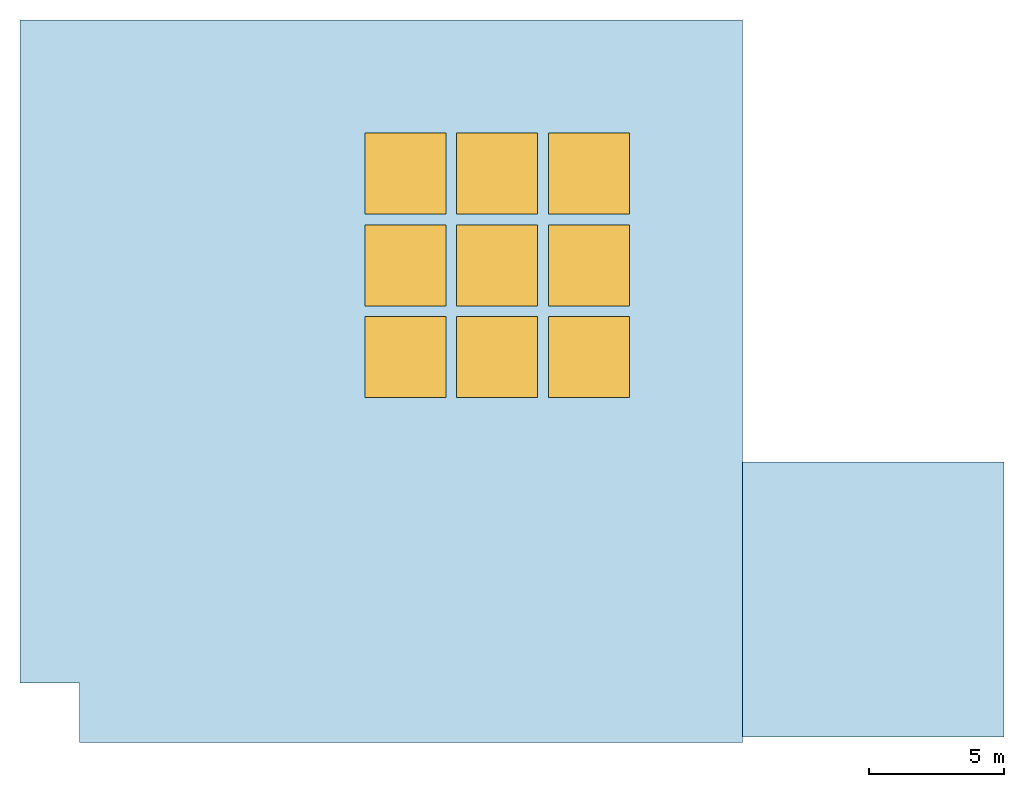
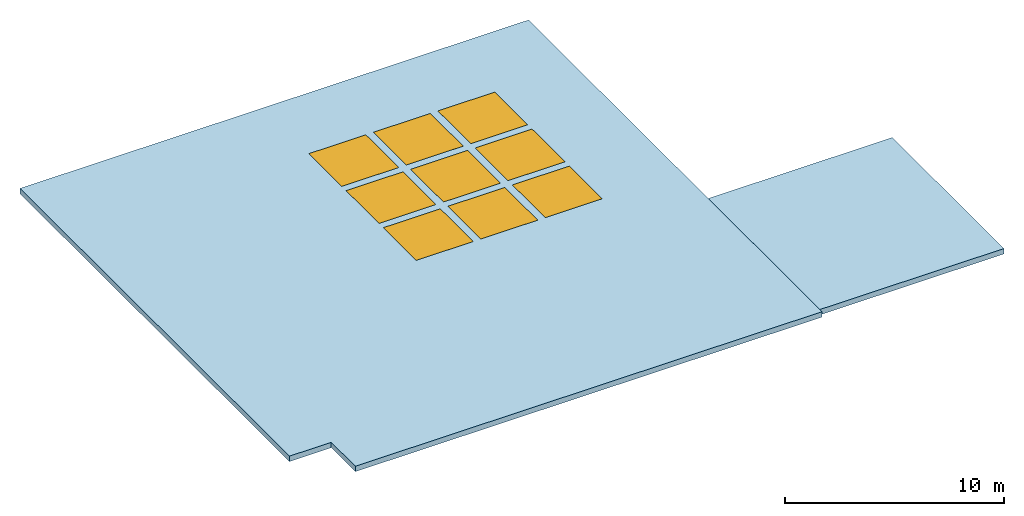
# One storey: 9 windows, 2 slabs, 9 openings.
"""IFC4 building model written with IfcOpenShell, lengths in metres."""

from ifc_helpers import new_model, si_unit, direction, frame, origin, origin_2d, place, context, subcontext, project, spatial, polyline, rectangle, outline, extrude, material, layer, layer_set, type_object, element, fill, save


model = new_model("IFC4")

# Units and contexts
model_context = context("Model", 3, precision=1e-05, world=origin(), true_north=direction((0.0, 1.0)))
body_context = subcontext(model_context, "Body", "Model", "MODEL_VIEW")
ifc_project = project(units=[si_unit("LENGTHUNIT", "METRE"), si_unit("AREAUNIT", "SQUARE_METRE"), si_unit("VOLUMEUNIT", "CUBIC_METRE"), si_unit("PLANEANGLEUNIT", "RADIAN"), si_unit("MASSUNIT", "GRAM", prefix="KILO")], contexts=[model_context])

# Site, building, storey
site_placement = place(None, origin())
site = spatial("IfcSite", under=ifc_project, at=site_placement, CompositionType="ELEMENT")
building_placement = place(site_placement, origin())
building = spatial("IfcBuilding", under=site, at=building_placement, Name="Kemantara Hotel Tower", CompositionType="ELEMENT")
storey_placement = place(building_placement, frame((0.0, 0.0, 334.199951171875)))
storey = spatial("IfcBuildingStorey", under=building, at=storey_placement, Name="ROOF", CompositionType="ELEMENT", Elevation=334.199951171875)

# Slab
ifc_material_1 = material(Name="Concrete K-400 (fc 33 MPa) deck under roofing membrane", Category="concrete")
ifc_layer = layer(ifc_material_1, 0.300048828125)
ifc_layer_set = layer_set([ifc_layer], Name="Concrete K-400 (fc 33 MPa) deck under roofing membrane")
slab_type = type_object("IfcSlabType", Name="DRUM ROOF SLAB 300", PredefinedType="ROOF", material=ifc_layer_set)
slab_1_placement = place(storey_placement, frame((0.0, 0.0, -0.300048828125)))
element("IfcSlab", 1, at=slab_1_placement, inside=storey, type_object=slab_type, Name="PEAK A MAST BASE ROOF", PredefinedType="ROOF", context=body_context, shape_type="SweptSolid", body=[
    extrude(outline(polyline([(26.800048828125, 0.199951171875), (36.5, 0.199951171875), (36.5, 10.39990234375), (26.800048828125, 10.39990234375), (26.800048828125, 0.199951171875)])), origin(), (0.0, 0.0, 1.0), 0.300048828125),
])

# Slab, openings, windows
slab_2_placement = place(storey_placement, frame((0.0, 0.0, -0.300048828125)))
slab_2 = element("IfcSlab", 2, at=slab_2_placement, inside=storey, type_object=slab_type, Name="DRUM ROOF SLAB 1", PredefinedType="ROOF", context=body_context, shape_type="SweptSolid", body=[
    extrude(outline(polyline([(2.199951171875, 2.199951171875), (2.199951171875, 0.0), (26.800048828125, 0.0), (26.800048828125, 22.0), (26.800048828125, 26.800048828125), (22.0, 26.800048828125), (0.0, 26.800048828125), (0.0, 2.199951171875), (2.199951171875, 2.199951171875)])), origin(), (0.0, 0.0, 1.0), 0.300048828125),
])
opening_1_placement = place(slab_2_placement, frame((14.300048828125, 14.300048828125, 0.0)))
opening_1 = element("IfcOpeningElement", 3, at=opening_1_placement, cuts=slab_2, Name="Opening SK1", PredefinedType="OPENING", context=body_context, shape_type="SweptSolid", body=[
    extrude(rectangle(XDim=3.0, YDim=3.0, at=origin_2d()), frame((0.0, 0.0, -0.010009765625)), (0.0, 0.0, 1.0), 0.320068359375),
])
opening_2_placement = place(slab_2_placement, frame((14.300048828125, 17.699951171875, 0.0)))
opening_2 = element("IfcOpeningElement", 4, at=opening_2_placement, cuts=slab_2, Name="Opening SK1", PredefinedType="OPENING", context=body_context, shape_type="SweptSolid", body=[
    extrude(rectangle(XDim=3.0, YDim=3.0, at=origin_2d()), frame((0.0, 0.0, -0.010009765625)), (0.0, 0.0, 1.0), 0.320068359375),
])
opening_3_placement = place(slab_2_placement, frame((14.300048828125, 21.10009765625, 0.0)))
opening_3 = element("IfcOpeningElement", 5, at=opening_3_placement, cuts=slab_2, Name="Opening SK1", PredefinedType="OPENING", context=body_context, shape_type="SweptSolid", body=[
    extrude(rectangle(XDim=3.0, YDim=3.0, at=origin_2d()), frame((0.0, 0.0, -0.010009765625)), (0.0, 0.0, 1.0), 0.320068359375),
])
opening_4_placement = place(slab_2_placement, frame((17.699951171875, 14.300048828125, 0.0)))
opening_4 = element("IfcOpeningElement", 6, at=opening_4_placement, cuts=slab_2, Name="Opening SK1", PredefinedType="OPENING", context=body_context, shape_type="SweptSolid", body=[
    extrude(rectangle(XDim=3.0, YDim=3.0, at=origin_2d()), frame((0.0, 0.0, -0.010009765625)), (0.0, 0.0, 1.0), 0.320068359375),
])
opening_5_placement = place(slab_2_placement, frame((17.699951171875, 17.699951171875, 0.0)))
opening_5 = element("IfcOpeningElement", 7, at=opening_5_placement, cuts=slab_2, Name="Opening SK1", PredefinedType="OPENING", context=body_context, shape_type="SweptSolid", body=[
    extrude(rectangle(XDim=3.0, YDim=3.0, at=origin_2d()), frame((0.0, 0.0, -0.010009765625)), (0.0, 0.0, 1.0), 0.320068359375),
])
opening_6_placement = place(slab_2_placement, frame((17.699951171875, 21.10009765625, 0.0)))
opening_6 = element("IfcOpeningElement", 8, at=opening_6_placement, cuts=slab_2, Name="Opening SK1", PredefinedType="OPENING", context=body_context, shape_type="SweptSolid", body=[
    extrude(rectangle(XDim=3.0, YDim=3.0, at=origin_2d()), frame((0.0, 0.0, -0.010009765625)), (0.0, 0.0, 1.0), 0.320068359375),
])
opening_7_placement = place(slab_2_placement, frame((21.10009765625, 14.300048828125, 0.0)))
opening_7 = element("IfcOpeningElement", 9, at=opening_7_placement, cuts=slab_2, Name="Opening SK1", PredefinedType="OPENING", context=body_context, shape_type="SweptSolid", body=[
    extrude(rectangle(XDim=3.0, YDim=3.0, at=origin_2d()), frame((0.0, 0.0, -0.010009765625)), (0.0, 0.0, 1.0), 0.320068359375),
])
opening_8_placement = place(slab_2_placement, frame((21.10009765625, 17.699951171875, 0.0)))
opening_8 = element("IfcOpeningElement", 10, at=opening_8_placement, cuts=slab_2, Name="Opening SK1", PredefinedType="OPENING", context=body_context, shape_type="SweptSolid", body=[
    extrude(rectangle(XDim=3.0, YDim=3.0, at=origin_2d()), frame((0.0, 0.0, -0.010009765625)), (0.0, 0.0, 1.0), 0.320068359375),
])
opening_9_placement = place(slab_2_placement, frame((21.10009765625, 21.10009765625, 0.0)))
opening_9 = element("IfcOpeningElement", 11, at=opening_9_placement, cuts=slab_2, Name="Opening SK1", PredefinedType="OPENING", context=body_context, shape_type="SweptSolid", body=[
    extrude(rectangle(XDim=3.0, YDim=3.0, at=origin_2d()), frame((0.0, 0.0, -0.010009765625)), (0.0, 0.0, 1.0), 0.320068359375),
])
ifc_material_2 = material(Name="Laminated low-iron glass in bronze anodised aluminium frame", Category="aluminium")
window_type = type_object("IfcWindowType", Name="ATRIUM ROOFLIGHT 3000x3000", PartitioningType="SINGLE_PANEL", PredefinedType="SKYLIGHT", material=ifc_material_2)
window_1_placement = place(opening_1_placement, frame((0.0, 0.0, 0.25)))
window_1 = element("IfcWindow", 12, at=window_1_placement, inside=storey, type_object=window_type, Name="ATRIUM ROOFLIGHT 1.1", OverallHeight=3.0, OverallWidth=3.0, PartitioningType="SINGLE_PANEL", PredefinedType="SKYLIGHT", context=body_context, shape_type="SweptSolid", body=[
    extrude(rectangle(XDim=3.0, YDim=3.0, at=origin_2d()), origin(), (0.0, 0.0, 1.0), 0.050048828125),
])
fill(opening_1, window_1)
window_2_placement = place(opening_2_placement, frame((0.0, 0.0, 0.25)))
window_2 = element("IfcWindow", 13, at=window_2_placement, inside=storey, type_object=window_type, Name="ATRIUM ROOFLIGHT 1.2", OverallHeight=3.0, OverallWidth=3.0, PartitioningType="SINGLE_PANEL", PredefinedType="SKYLIGHT", context=body_context, shape_type="SweptSolid", body=[
    extrude(rectangle(XDim=3.0, YDim=3.0, at=origin_2d()), origin(), (0.0, 0.0, 1.0), 0.050048828125),
])
fill(opening_2, window_2)
window_3_placement = place(opening_3_placement, frame((0.0, 0.0, 0.25)))
window_3 = element("IfcWindow", 14, at=window_3_placement, inside=storey, type_object=window_type, Name="ATRIUM ROOFLIGHT 1.3", OverallHeight=3.0, OverallWidth=3.0, PartitioningType="SINGLE_PANEL", PredefinedType="SKYLIGHT", context=body_context, shape_type="SweptSolid", body=[
    extrude(rectangle(XDim=3.0, YDim=3.0, at=origin_2d()), origin(), (0.0, 0.0, 1.0), 0.050048828125),
])
fill(opening_3, window_3)
window_4_placement = place(opening_4_placement, frame((0.0, 0.0, 0.25)))
window_4 = element("IfcWindow", 15, at=window_4_placement, inside=storey, type_object=window_type, Name="ATRIUM ROOFLIGHT 2.1", OverallHeight=3.0, OverallWidth=3.0, PartitioningType="SINGLE_PANEL", PredefinedType="SKYLIGHT", context=body_context, shape_type="SweptSolid", body=[
    extrude(rectangle(XDim=3.0, YDim=3.0, at=origin_2d()), origin(), (0.0, 0.0, 1.0), 0.050048828125),
])
fill(opening_4, window_4)
window_5_placement = place(opening_5_placement, frame((0.0, 0.0, 0.25)))
window_5 = element("IfcWindow", 16, at=window_5_placement, inside=storey, type_object=window_type, Name="ATRIUM ROOFLIGHT 2.2", OverallHeight=3.0, OverallWidth=3.0, PartitioningType="SINGLE_PANEL", PredefinedType="SKYLIGHT", context=body_context, shape_type="SweptSolid", body=[
    extrude(rectangle(XDim=3.0, YDim=3.0, at=origin_2d()), origin(), (0.0, 0.0, 1.0), 0.050048828125),
])
fill(opening_5, window_5)
window_6_placement = place(opening_6_placement, frame((0.0, 0.0, 0.25)))
window_6 = element("IfcWindow", 17, at=window_6_placement, inside=storey, type_object=window_type, Name="ATRIUM ROOFLIGHT 2.3", OverallHeight=3.0, OverallWidth=3.0, PartitioningType="SINGLE_PANEL", PredefinedType="SKYLIGHT", context=body_context, shape_type="SweptSolid", body=[
    extrude(rectangle(XDim=3.0, YDim=3.0, at=origin_2d()), origin(), (0.0, 0.0, 1.0), 0.050048828125),
])
fill(opening_6, window_6)
window_7_placement = place(opening_7_placement, frame((0.0, 0.0, 0.25)))
window_7 = element("IfcWindow", 18, at=window_7_placement, inside=storey, type_object=window_type, Name="ATRIUM ROOFLIGHT 3.1", OverallHeight=3.0, OverallWidth=3.0, PartitioningType="SINGLE_PANEL", PredefinedType="SKYLIGHT", context=body_context, shape_type="SweptSolid", body=[
    extrude(rectangle(XDim=3.0, YDim=3.0, at=origin_2d()), origin(), (0.0, 0.0, 1.0), 0.050048828125),
])
fill(opening_7, window_7)
window_8_placement = place(opening_8_placement, frame((0.0, 0.0, 0.25)))
window_8 = element("IfcWindow", 19, at=window_8_placement, inside=storey, type_object=window_type, Name="ATRIUM ROOFLIGHT 3.2", OverallHeight=3.0, OverallWidth=3.0, PartitioningType="SINGLE_PANEL", PredefinedType="SKYLIGHT", context=body_context, shape_type="SweptSolid", body=[
    extrude(rectangle(XDim=3.0, YDim=3.0, at=origin_2d()), origin(), (0.0, 0.0, 1.0), 0.050048828125),
])
fill(opening_8, window_8)
window_9_placement = place(opening_9_placement, frame((0.0, 0.0, 0.25)))
window_9 = element("IfcWindow", 20, at=window_9_placement, inside=storey, type_object=window_type, Name="ATRIUM ROOFLIGHT 3.3", OverallHeight=3.0, OverallWidth=3.0, PartitioningType="SINGLE_PANEL", PredefinedType="SKYLIGHT", context=body_context, shape_type="SweptSolid", body=[
    extrude(rectangle(XDim=3.0, YDim=3.0, at=origin_2d()), origin(), (0.0, 0.0, 1.0), 0.050048828125),
])
fill(opening_9, window_9)

save(model, "model.ifc")
